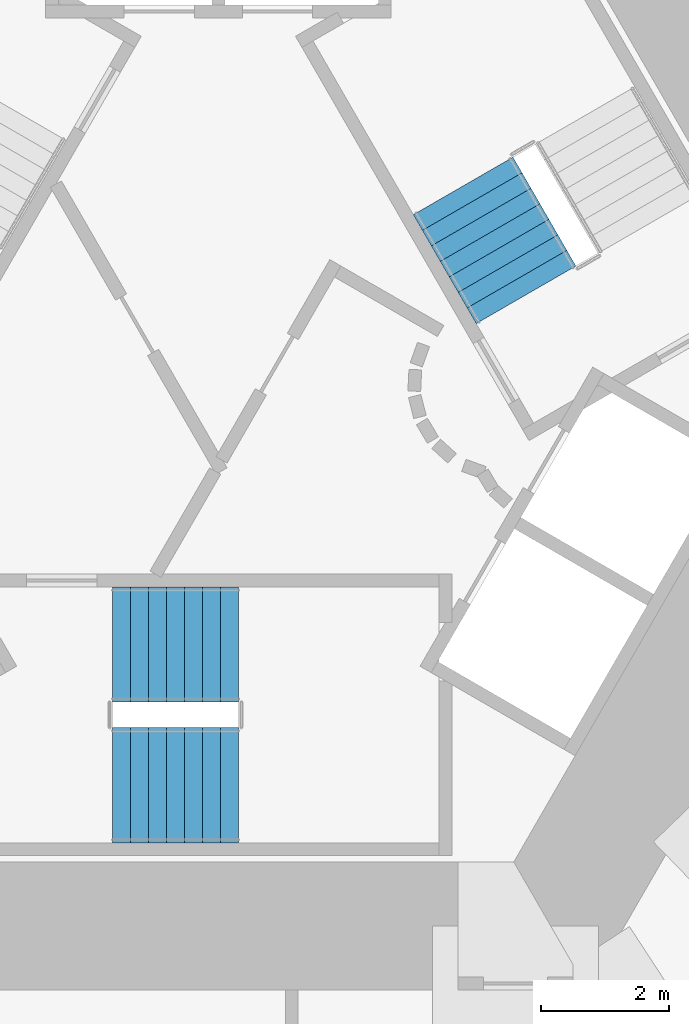
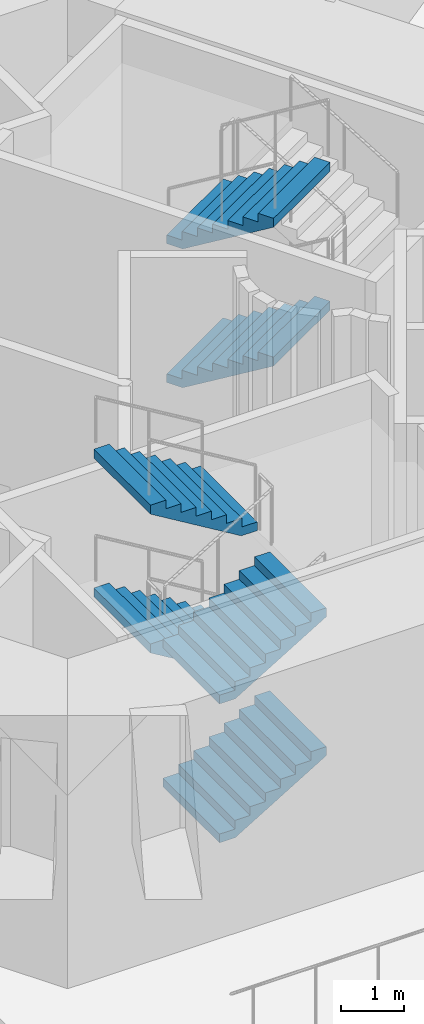
# One storey, part 9 of 16: 6 stair flights, 2 elements without a shape of their own.
"""IFC4 building model written with IfcOpenShell, lengths in metres."""

from ifc_helpers import new_model, si_unit, direction, frame, origin, place, context, subcontext, project, spatial, triangles, material, type_object, element, aggregate, save


model = new_model("IFC4")

# Units and contexts
model_context = context("Model", 3, precision=1e-05, world=origin(), true_north=direction((0.0, 1.0)))
body_context = subcontext(model_context, "Body", "Model", "MODEL_VIEW")
ifc_project = project(units=[si_unit("LENGTHUNIT", "METRE"), si_unit("AREAUNIT", "SQUARE_METRE"), si_unit("VOLUMEUNIT", "CUBIC_METRE"), si_unit("PLANEANGLEUNIT", "RADIAN"), si_unit("MASSUNIT", "GRAM", prefix="KILO")], contexts=[model_context])

# Site, building, storey
site_placement = place(None, origin())
site = spatial("IfcSite", under=ifc_project, at=site_placement, CompositionType="ELEMENT")
building_placement = place(site_placement, origin())
building = spatial("IfcBuilding", under=site, at=building_placement, Name="Entoto Arch Interchange Tower", CompositionType="ELEMENT")
storey_placement = place(building_placement, frame((0.0, 0.0, 281.0)))
storey = spatial("IfcBuildingStorey", under=building, at=storey_placement, Name="L65", CompositionType="ELEMENT", Elevation=281.0)

# Stair, stair flights
ifc_material = material(Name="Concrete C40/50", Category="concrete")
stair_type = type_object("IfcStairType", Name="EXIT STAIR RC 1800", PredefinedType="HALF_TURN_STAIR", material=ifc_material)
stair_1_placement = place(storey_placement, origin())
stair_1 = element("IfcStair", 1, at=stair_1_placement, inside=storey, type_object=stair_type, Name="L65 Exit stair S", PredefinedType="HALF_TURN_STAIR")
stair_flight_type = type_object("IfcStairFlightType", Name="EXIT STAIR FLIGHT RC 1800", PredefinedType="STRAIGHT", material=ifc_material)
stair_flight_1_placement = place(storey_placement, frame((-1.64990234375, -4.300048828125, 0.0), z_axis=(0.0, 0.0, 1.0), x_axis=(1.0, 0.0, 0.0)))
stair_flight_1 = element("IfcStairFlight", 2, at=stair_flight_1_placement, type_object=stair_flight_type, Name="ST-S flight 1", NumberOfRisers=8, NumberOfTreads=7, PredefinedType="STRAIGHT", RiserHeight=0.16875, TreadLength=0.28, context=body_context, shape_type="Tessellation", body=[
    triangles([(-0.003, -0.900024, 0.0), (-0.003, -0.900024, 0.16875), (0.28, -0.900024, 0.16875), (0.28, -0.900024, 0.3375), (0.56, -0.900024, 0.3375), (0.56, -0.900024, 0.50625), (0.84, -0.900024, 0.50625), (0.84, -0.900024, 0.675), (1.12, -0.900024, 0.675), (1.12, -0.900024, 0.84375), (1.4, -0.900024, 0.84375), (1.4, -0.900024, 1.0125), (1.68, -0.900024, 1.0125), (1.68, -0.900024, 1.18125), (1.96, -0.900024, 1.18125), (1.963, -0.900024, 1.18125), (1.963, -0.900024, 1.008036), (0.290406, -0.900024, 0.0), (-0.003, 0.900024, 0.0), (-0.003, 0.900024, 0.16875), (0.28, 0.900024, 0.16875), (0.28, 0.900024, 0.3375), (0.56, 0.900024, 0.3375), (0.56, 0.900024, 0.50625), (0.84, 0.900024, 0.50625), (0.84, 0.900024, 0.675), (1.12, 0.900024, 0.675), (1.12, 0.900024, 0.84375), (1.4, 0.900024, 0.84375), (1.4, 0.900024, 1.0125), (1.68, 0.900024, 1.0125), (1.68, 0.900024, 1.18125), (1.96, 0.900024, 1.18125), (1.963, 0.900024, 1.18125), (1.963, 0.900024, 1.008036), (0.290406, 0.900024, 0.0), (-0.003, -0.450012, 0.0), (-0.003, -0.450012, 0.16875), (-0.003, 0.0, 0.0), (-0.003, 0.0, 0.16875), (-0.003, 0.450012, 0.0), (-0.003, 0.450012, 0.16875), (0.28, -0.450012, 0.16875), (0.28, 0.0, 0.16875), (0.28, 0.450012, 0.16875), (0.28, -0.450012, 0.3375), (0.28, 0.0, 0.3375), (0.28, 0.450012, 0.3375), (0.56, -0.450012, 0.3375), (0.56, 0.0, 0.3375), (0.56, 0.450012, 0.3375), (0.56, -0.450012, 0.50625), (0.56, 0.0, 0.50625), (0.56, 0.450012, 0.50625), (0.84, -0.450012, 0.50625), (0.84, 0.0, 0.50625), (0.84, 0.450012, 0.50625), (0.84, -0.450012, 0.675), (0.84, 0.0, 0.675), (0.84, 0.450012, 0.675), (1.12, -0.450012, 0.675), (1.12, 0.0, 0.675), (1.12, 0.450012, 0.675), (1.12, -0.450012, 0.84375), (1.12, 0.0, 0.84375), (1.12, 0.450012, 0.84375), (1.4, -0.450012, 0.84375), (1.4, 0.0, 0.84375), (1.4, 0.450012, 0.84375), (1.4, -0.450012, 1.0125), (1.4, 0.0, 1.0125), (1.4, 0.450012, 1.0125), (1.68, -0.450012, 1.0125), (1.68, 0.0, 1.0125), (1.68, 0.450012, 1.0125), (1.68, -0.450012, 1.18125), (1.68, 0.0, 1.18125), (1.68, 0.450012, 1.18125), (1.96, -0.450012, 1.18125), (1.96, 0.0, 1.18125), (1.96, 0.450012, 1.18125), (1.963, -0.450012, 1.18125), (1.963, 0.0, 1.18125), (1.963, 0.450012, 1.18125), (1.963, -0.450012, 1.008036), (1.963, 0.0, 1.008036), (1.963, 0.450012, 1.008036), (0.290406, -0.450012, 0.0), (0.290406, 0.0, 0.0), (0.290406, 0.450012, 0.0)], [[1, 18, 17], [17, 16, 15], [17, 15, 14], [17, 14, 13], [17, 13, 12], [17, 12, 11], [11, 10, 9], [17, 11, 9], [9, 8, 7], [17, 9, 7], [7, 6, 5], [17, 7, 5], [5, 4, 3], [17, 5, 3], [1, 17, 3], [3, 2, 1], [19, 35, 36], [35, 33, 34], [35, 32, 33], [35, 31, 32], [35, 30, 31], [35, 29, 30], [29, 27, 28], [35, 27, 29], [27, 25, 26], [35, 25, 27], [25, 23, 24], [35, 23, 25], [23, 21, 22], [35, 21, 23], [19, 21, 35], [21, 19, 20], [1, 2, 38], [1, 38, 37], [37, 38, 40], [37, 40, 39], [39, 40, 42], [39, 42, 41], [41, 42, 20], [41, 20, 19], [2, 3, 43], [2, 43, 38], [38, 43, 44], [38, 44, 40], [40, 44, 45], [40, 45, 42], [42, 45, 21], [42, 21, 20], [3, 4, 46], [3, 46, 43], [43, 46, 47], [43, 47, 44], [44, 47, 48], [44, 48, 45], [45, 48, 22], [45, 22, 21], [4, 5, 49], [4, 49, 46], [46, 49, 50], [46, 50, 47], [47, 50, 51], [47, 51, 48], [48, 51, 23], [48, 23, 22], [5, 6, 52], [5, 52, 49], [49, 52, 53], [49, 53, 50], [50, 53, 54], [50, 54, 51], [51, 54, 24], [51, 24, 23], [6, 7, 55], [6, 55, 52], [52, 55, 56], [52, 56, 53], [53, 56, 57], [53, 57, 54], [54, 57, 25], [54, 25, 24], [7, 8, 58], [7, 58, 55], [55, 58, 59], [55, 59, 56], [56, 59, 60], [56, 60, 57], [57, 60, 26], [57, 26, 25], [8, 9, 61], [8, 61, 58], [58, 61, 62], [58, 62, 59], [59, 62, 63], [59, 63, 60], [60, 63, 27], [60, 27, 26], [9, 10, 64], [9, 64, 61], [61, 64, 65], [61, 65, 62], [62, 65, 66], [62, 66, 63], [63, 66, 28], [63, 28, 27], [10, 11, 67], [10, 67, 64], [64, 67, 68], [64, 68, 65], [65, 68, 69], [65, 69, 66], [66, 69, 29], [66, 29, 28], [11, 12, 70], [11, 70, 67], [67, 70, 71], [67, 71, 68], [68, 71, 72], [68, 72, 69], [69, 72, 30], [69, 30, 29], [12, 13, 73], [12, 73, 70], [70, 73, 74], [70, 74, 71], [71, 74, 75], [71, 75, 72], [72, 75, 31], [72, 31, 30], [13, 14, 76], [13, 76, 73], [73, 76, 77], [73, 77, 74], [74, 77, 78], [74, 78, 75], [75, 78, 32], [75, 32, 31], [14, 15, 79], [14, 79, 76], [76, 79, 80], [76, 80, 77], [77, 80, 81], [77, 81, 78], [78, 81, 33], [78, 33, 32], [15, 16, 82], [15, 82, 79], [79, 82, 83], [79, 83, 80], [80, 83, 84], [80, 84, 81], [81, 84, 34], [81, 34, 33], [16, 17, 85], [16, 85, 82], [82, 85, 86], [82, 86, 83], [83, 86, 87], [83, 87, 84], [84, 87, 35], [84, 35, 34], [17, 18, 88], [17, 88, 85], [85, 88, 89], [85, 89, 86], [86, 89, 90], [86, 90, 87], [87, 90, 36], [87, 36, 35], [18, 1, 37], [18, 37, 88], [88, 37, 39], [88, 39, 89], [89, 39, 41], [89, 41, 90], [90, 41, 19], [90, 19, 36]], closed=True),
])
stair_flight_2_placement = place(storey_placement, frame((0.31005859375, -2.10009765625, 1.35009765625), z_axis=(0.0, 0.0, 1.0), x_axis=(-1.0, 0.0, 0.0)))
stair_flight_2 = element("IfcStairFlight", 3, at=stair_flight_2_placement, type_object=stair_flight_type, Name="ST-S flight 2", NumberOfRisers=8, NumberOfTreads=7, PredefinedType="STRAIGHT", RiserHeight=0.16875, TreadLength=0.28, context=body_context, shape_type="Tessellation", body=[
    triangles([(-0.003, -0.900024, 0.0), (-0.003, -0.900024, 0.16875), (0.28, -0.900024, 0.16875), (0.28, -0.900024, 0.3375), (0.56, -0.900024, 0.3375), (0.56, -0.900024, 0.50625), (0.84, -0.900024, 0.50625), (0.84, -0.900024, 0.675), (1.12, -0.900024, 0.675), (1.12, -0.900024, 0.84375), (1.4, -0.900024, 0.84375), (1.4, -0.900024, 1.0125), (1.68, -0.900024, 1.0125), (1.68, -0.900024, 1.18125), (1.96, -0.900024, 1.18125), (1.963, -0.900024, 1.18125), (1.963, -0.900024, 1.008036), (0.290406, -0.900024, 0.0), (-0.003, 0.900024, 0.0), (-0.003, 0.900024, 0.16875), (0.28, 0.900024, 0.16875), (0.28, 0.900024, 0.3375), (0.56, 0.900024, 0.3375), (0.56, 0.900024, 0.50625), (0.84, 0.900024, 0.50625), (0.84, 0.900024, 0.675), (1.12, 0.900024, 0.675), (1.12, 0.900024, 0.84375), (1.4, 0.900024, 0.84375), (1.4, 0.900024, 1.0125), (1.68, 0.900024, 1.0125), (1.68, 0.900024, 1.18125), (1.96, 0.900024, 1.18125), (1.963, 0.900024, 1.18125), (1.963, 0.900024, 1.008036), (0.290406, 0.900024, 0.0), (-0.003, -0.450012, 0.0), (-0.003, -0.450012, 0.16875), (-0.003, 0.0, 0.0), (-0.003, 0.0, 0.16875), (-0.003, 0.450012, 0.0), (-0.003, 0.450012, 0.16875), (0.28, -0.450012, 0.16875), (0.28, 0.0, 0.16875), (0.28, 0.450012, 0.16875), (0.28, -0.450012, 0.3375), (0.28, 0.0, 0.3375), (0.28, 0.450012, 0.3375), (0.56, -0.450012, 0.3375), (0.56, 0.0, 0.3375), (0.56, 0.450012, 0.3375), (0.56, -0.450012, 0.50625), (0.56, 0.0, 0.50625), (0.56, 0.450012, 0.50625), (0.84, -0.450012, 0.50625), (0.84, 0.0, 0.50625), (0.84, 0.450012, 0.50625), (0.84, -0.450012, 0.675), (0.84, 0.0, 0.675), (0.84, 0.450012, 0.675), (1.12, -0.450012, 0.675), (1.12, 0.0, 0.675), (1.12, 0.450012, 0.675), (1.12, -0.450012, 0.84375), (1.12, 0.0, 0.84375), (1.12, 0.450012, 0.84375), (1.4, -0.450012, 0.84375), (1.4, 0.0, 0.84375), (1.4, 0.450012, 0.84375), (1.4, -0.450012, 1.0125), (1.4, 0.0, 1.0125), (1.4, 0.450012, 1.0125), (1.68, -0.450012, 1.0125), (1.68, 0.0, 1.0125), (1.68, 0.450012, 1.0125), (1.68, -0.450012, 1.18125), (1.68, 0.0, 1.18125), (1.68, 0.450012, 1.18125), (1.96, -0.450012, 1.18125), (1.96, 0.0, 1.18125), (1.96, 0.450012, 1.18125), (1.963, -0.450012, 1.18125), (1.963, 0.0, 1.18125), (1.963, 0.450012, 1.18125), (1.963, -0.450012, 1.008036), (1.963, 0.0, 1.008036), (1.963, 0.450012, 1.008036), (0.290406, -0.450012, 0.0), (0.290406, 0.0, 0.0), (0.290406, 0.450012, 0.0)], [[1, 18, 17], [17, 16, 15], [17, 15, 14], [17, 14, 13], [17, 13, 12], [17, 12, 11], [11, 10, 9], [17, 11, 9], [9, 8, 7], [17, 9, 7], [7, 6, 5], [17, 7, 5], [5, 4, 3], [17, 5, 3], [1, 17, 3], [3, 2, 1], [19, 35, 36], [35, 33, 34], [35, 32, 33], [35, 31, 32], [35, 30, 31], [35, 29, 30], [29, 27, 28], [35, 27, 29], [27, 25, 26], [35, 25, 27], [25, 23, 24], [35, 23, 25], [23, 21, 22], [35, 21, 23], [19, 21, 35], [21, 19, 20], [1, 2, 38], [1, 38, 37], [37, 38, 40], [37, 40, 39], [39, 40, 42], [39, 42, 41], [41, 42, 20], [41, 20, 19], [2, 3, 43], [2, 43, 38], [38, 43, 44], [38, 44, 40], [40, 44, 45], [40, 45, 42], [42, 45, 21], [42, 21, 20], [3, 4, 46], [3, 46, 43], [43, 46, 47], [43, 47, 44], [44, 47, 48], [44, 48, 45], [45, 48, 22], [45, 22, 21], [4, 5, 49], [4, 49, 46], [46, 49, 50], [46, 50, 47], [47, 50, 51], [47, 51, 48], [48, 51, 23], [48, 23, 22], [5, 6, 52], [5, 52, 49], [49, 52, 53], [49, 53, 50], [50, 53, 54], [50, 54, 51], [51, 54, 24], [51, 24, 23], [6, 7, 55], [6, 55, 52], [52, 55, 56], [52, 56, 53], [53, 56, 57], [53, 57, 54], [54, 57, 25], [54, 25, 24], [7, 8, 58], [7, 58, 55], [55, 58, 59], [55, 59, 56], [56, 59, 60], [56, 60, 57], [57, 60, 26], [57, 26, 25], [8, 9, 61], [8, 61, 58], [58, 61, 62], [58, 62, 59], [59, 62, 63], [59, 63, 60], [60, 63, 27], [60, 27, 26], [9, 10, 64], [9, 64, 61], [61, 64, 65], [61, 65, 62], [62, 65, 66], [62, 66, 63], [63, 66, 28], [63, 28, 27], [10, 11, 67], [10, 67, 64], [64, 67, 68], [64, 68, 65], [65, 68, 69], [65, 69, 66], [66, 69, 29], [66, 29, 28], [11, 12, 70], [11, 70, 67], [67, 70, 71], [67, 71, 68], [68, 71, 72], [68, 72, 69], [69, 72, 30], [69, 30, 29], [12, 13, 73], [12, 73, 70], [70, 73, 74], [70, 74, 71], [71, 74, 75], [71, 75, 72], [72, 75, 31], [72, 31, 30], [13, 14, 76], [13, 76, 73], [73, 76, 77], [73, 77, 74], [74, 77, 78], [74, 78, 75], [75, 78, 32], [75, 32, 31], [14, 15, 79], [14, 79, 76], [76, 79, 80], [76, 80, 77], [77, 80, 81], [77, 81, 78], [78, 81, 33], [78, 33, 32], [15, 16, 82], [15, 82, 79], [79, 82, 83], [79, 83, 80], [80, 83, 84], [80, 84, 81], [81, 84, 34], [81, 34, 33], [16, 17, 85], [16, 85, 82], [82, 85, 86], [82, 86, 83], [83, 86, 87], [83, 87, 84], [84, 87, 35], [84, 35, 34], [17, 18, 88], [17, 88, 85], [85, 88, 89], [85, 89, 86], [86, 89, 90], [86, 90, 87], [87, 90, 36], [87, 36, 35], [18, 1, 37], [18, 37, 88], [88, 37, 39], [88, 39, 89], [89, 39, 41], [89, 41, 90], [90, 41, 19], [90, 19, 36]], closed=True),
])
stair_flight_3_placement = place(storey_placement, frame((-1.64990234375, -4.300048828125, 2.699951171875), z_axis=(0.0, 0.0, 1.0), x_axis=(1.0, 0.0, 0.0)))
stair_flight_3 = element("IfcStairFlight", 4, at=stair_flight_3_placement, type_object=stair_flight_type, Name="ST-S flight 3", NumberOfRisers=8, NumberOfTreads=7, PredefinedType="STRAIGHT", RiserHeight=0.16875, TreadLength=0.28, context=body_context, shape_type="Tessellation", body=[
    triangles([(-0.003, -0.900024, 0.0), (-0.003, -0.900024, 0.16875), (0.28, -0.900024, 0.16875), (0.28, -0.900024, 0.3375), (0.56, -0.900024, 0.3375), (0.56, -0.900024, 0.50625), (0.84, -0.900024, 0.50625), (0.84, -0.900024, 0.675), (1.12, -0.900024, 0.675), (1.12, -0.900024, 0.84375), (1.4, -0.900024, 0.84375), (1.4, -0.900024, 1.0125), (1.68, -0.900024, 1.0125), (1.68, -0.900024, 1.18125), (1.96, -0.900024, 1.18125), (1.963, -0.900024, 1.18125), (1.963, -0.900024, 1.008036), (0.290406, -0.900024, 0.0), (-0.003, 0.900024, 0.0), (-0.003, 0.900024, 0.16875), (0.28, 0.900024, 0.16875), (0.28, 0.900024, 0.3375), (0.56, 0.900024, 0.3375), (0.56, 0.900024, 0.50625), (0.84, 0.900024, 0.50625), (0.84, 0.900024, 0.675), (1.12, 0.900024, 0.675), (1.12, 0.900024, 0.84375), (1.4, 0.900024, 0.84375), (1.4, 0.900024, 1.0125), (1.68, 0.900024, 1.0125), (1.68, 0.900024, 1.18125), (1.96, 0.900024, 1.18125), (1.963, 0.900024, 1.18125), (1.963, 0.900024, 1.008036), (0.290406, 0.900024, 0.0), (-0.003, -0.450012, 0.0), (-0.003, -0.450012, 0.16875), (-0.003, 0.0, 0.0), (-0.003, 0.0, 0.16875), (-0.003, 0.450012, 0.0), (-0.003, 0.450012, 0.16875), (0.28, -0.450012, 0.16875), (0.28, 0.0, 0.16875), (0.28, 0.450012, 0.16875), (0.28, -0.450012, 0.3375), (0.28, 0.0, 0.3375), (0.28, 0.450012, 0.3375), (0.56, -0.450012, 0.3375), (0.56, 0.0, 0.3375), (0.56, 0.450012, 0.3375), (0.56, -0.450012, 0.50625), (0.56, 0.0, 0.50625), (0.56, 0.450012, 0.50625), (0.84, -0.450012, 0.50625), (0.84, 0.0, 0.50625), (0.84, 0.450012, 0.50625), (0.84, -0.450012, 0.675), (0.84, 0.0, 0.675), (0.84, 0.450012, 0.675), (1.12, -0.450012, 0.675), (1.12, 0.0, 0.675), (1.12, 0.450012, 0.675), (1.12, -0.450012, 0.84375), (1.12, 0.0, 0.84375), (1.12, 0.450012, 0.84375), (1.4, -0.450012, 0.84375), (1.4, 0.0, 0.84375), (1.4, 0.450012, 0.84375), (1.4, -0.450012, 1.0125), (1.4, 0.0, 1.0125), (1.4, 0.450012, 1.0125), (1.68, -0.450012, 1.0125), (1.68, 0.0, 1.0125), (1.68, 0.450012, 1.0125), (1.68, -0.450012, 1.18125), (1.68, 0.0, 1.18125), (1.68, 0.450012, 1.18125), (1.96, -0.450012, 1.18125), (1.96, 0.0, 1.18125), (1.96, 0.450012, 1.18125), (1.963, -0.450012, 1.18125), (1.963, 0.0, 1.18125), (1.963, 0.450012, 1.18125), (1.963, -0.450012, 1.008036), (1.963, 0.0, 1.008036), (1.963, 0.450012, 1.008036), (0.290406, -0.450012, 0.0), (0.290406, 0.0, 0.0), (0.290406, 0.450012, 0.0)], [[1, 18, 17], [17, 16, 15], [17, 15, 14], [17, 14, 13], [17, 13, 12], [17, 12, 11], [11, 10, 9], [17, 11, 9], [9, 8, 7], [17, 9, 7], [7, 6, 5], [17, 7, 5], [5, 4, 3], [17, 5, 3], [1, 17, 3], [3, 2, 1], [19, 35, 36], [35, 33, 34], [35, 32, 33], [35, 31, 32], [35, 30, 31], [35, 29, 30], [29, 27, 28], [35, 27, 29], [27, 25, 26], [35, 25, 27], [25, 23, 24], [35, 23, 25], [23, 21, 22], [35, 21, 23], [19, 21, 35], [21, 19, 20], [1, 2, 38], [1, 38, 37], [37, 38, 40], [37, 40, 39], [39, 40, 42], [39, 42, 41], [41, 42, 20], [41, 20, 19], [2, 3, 43], [2, 43, 38], [38, 43, 44], [38, 44, 40], [40, 44, 45], [40, 45, 42], [42, 45, 21], [42, 21, 20], [3, 4, 46], [3, 46, 43], [43, 46, 47], [43, 47, 44], [44, 47, 48], [44, 48, 45], [45, 48, 22], [45, 22, 21], [4, 5, 49], [4, 49, 46], [46, 49, 50], [46, 50, 47], [47, 50, 51], [47, 51, 48], [48, 51, 23], [48, 23, 22], [5, 6, 52], [5, 52, 49], [49, 52, 53], [49, 53, 50], [50, 53, 54], [50, 54, 51], [51, 54, 24], [51, 24, 23], [6, 7, 55], [6, 55, 52], [52, 55, 56], [52, 56, 53], [53, 56, 57], [53, 57, 54], [54, 57, 25], [54, 25, 24], [7, 8, 58], [7, 58, 55], [55, 58, 59], [55, 59, 56], [56, 59, 60], [56, 60, 57], [57, 60, 26], [57, 26, 25], [8, 9, 61], [8, 61, 58], [58, 61, 62], [58, 62, 59], [59, 62, 63], [59, 63, 60], [60, 63, 27], [60, 27, 26], [9, 10, 64], [9, 64, 61], [61, 64, 65], [61, 65, 62], [62, 65, 66], [62, 66, 63], [63, 66, 28], [63, 28, 27], [10, 11, 67], [10, 67, 64], [64, 67, 68], [64, 68, 65], [65, 68, 69], [65, 69, 66], [66, 69, 29], [66, 29, 28], [11, 12, 70], [11, 70, 67], [67, 70, 71], [67, 71, 68], [68, 71, 72], [68, 72, 69], [69, 72, 30], [69, 30, 29], [12, 13, 73], [12, 73, 70], [70, 73, 74], [70, 74, 71], [71, 74, 75], [71, 75, 72], [72, 75, 31], [72, 31, 30], [13, 14, 76], [13, 76, 73], [73, 76, 77], [73, 77, 74], [74, 77, 78], [74, 78, 75], [75, 78, 32], [75, 32, 31], [14, 15, 79], [14, 79, 76], [76, 79, 80], [76, 80, 77], [77, 80, 81], [77, 81, 78], [78, 81, 33], [78, 33, 32], [15, 16, 82], [15, 82, 79], [79, 82, 83], [79, 83, 80], [80, 83, 84], [80, 84, 81], [81, 84, 34], [81, 34, 33], [16, 17, 85], [16, 85, 82], [82, 85, 86], [82, 86, 83], [83, 86, 87], [83, 87, 84], [84, 87, 35], [84, 35, 34], [17, 18, 88], [17, 88, 85], [85, 88, 89], [85, 89, 86], [86, 89, 90], [86, 90, 87], [87, 90, 36], [87, 36, 35], [18, 1, 37], [18, 37, 88], [88, 37, 39], [88, 39, 89], [89, 39, 41], [89, 41, 90], [90, 41, 19], [90, 19, 36]], closed=True),
])
stair_flight_4_placement = place(storey_placement, frame((0.31005859375, -2.10009765625, 4.050048828125), z_axis=(0.0, 0.0, 1.0), x_axis=(-1.0, 0.0, 0.0)))
stair_flight_4 = element("IfcStairFlight", 5, at=stair_flight_4_placement, type_object=stair_flight_type, Name="ST-S flight 4", NumberOfRisers=8, NumberOfTreads=7, PredefinedType="STRAIGHT", RiserHeight=0.16875, TreadLength=0.28, context=body_context, shape_type="Tessellation", body=[
    triangles([(-0.003, -0.900024, 0.0), (-0.003, -0.900024, 0.16875), (0.28, -0.900024, 0.16875), (0.28, -0.900024, 0.3375), (0.56, -0.900024, 0.3375), (0.56, -0.900024, 0.50625), (0.84, -0.900024, 0.50625), (0.84, -0.900024, 0.675), (1.12, -0.900024, 0.675), (1.12, -0.900024, 0.84375), (1.4, -0.900024, 0.84375), (1.4, -0.900024, 1.0125), (1.68, -0.900024, 1.0125), (1.68, -0.900024, 1.18125), (1.96, -0.900024, 1.18125), (1.963, -0.900024, 1.18125), (1.963, -0.900024, 1.008036), (0.290406, -0.900024, 0.0), (-0.003, 0.900024, 0.0), (-0.003, 0.900024, 0.16875), (0.28, 0.900024, 0.16875), (0.28, 0.900024, 0.3375), (0.56, 0.900024, 0.3375), (0.56, 0.900024, 0.50625), (0.84, 0.900024, 0.50625), (0.84, 0.900024, 0.675), (1.12, 0.900024, 0.675), (1.12, 0.900024, 0.84375), (1.4, 0.900024, 0.84375), (1.4, 0.900024, 1.0125), (1.68, 0.900024, 1.0125), (1.68, 0.900024, 1.18125), (1.96, 0.900024, 1.18125), (1.963, 0.900024, 1.18125), (1.963, 0.900024, 1.008036), (0.290406, 0.900024, 0.0), (-0.003, -0.450012, 0.0), (-0.003, -0.450012, 0.16875), (-0.003, 0.0, 0.0), (-0.003, 0.0, 0.16875), (-0.003, 0.450012, 0.0), (-0.003, 0.450012, 0.16875), (0.28, -0.450012, 0.16875), (0.28, 0.0, 0.16875), (0.28, 0.450012, 0.16875), (0.28, -0.450012, 0.3375), (0.28, 0.0, 0.3375), (0.28, 0.450012, 0.3375), (0.56, -0.450012, 0.3375), (0.56, 0.0, 0.3375), (0.56, 0.450012, 0.3375), (0.56, -0.450012, 0.50625), (0.56, 0.0, 0.50625), (0.56, 0.450012, 0.50625), (0.84, -0.450012, 0.50625), (0.84, 0.0, 0.50625), (0.84, 0.450012, 0.50625), (0.84, -0.450012, 0.675), (0.84, 0.0, 0.675), (0.84, 0.450012, 0.675), (1.12, -0.450012, 0.675), (1.12, 0.0, 0.675), (1.12, 0.450012, 0.675), (1.12, -0.450012, 0.84375), (1.12, 0.0, 0.84375), (1.12, 0.450012, 0.84375), (1.4, -0.450012, 0.84375), (1.4, 0.0, 0.84375), (1.4, 0.450012, 0.84375), (1.4, -0.450012, 1.0125), (1.4, 0.0, 1.0125), (1.4, 0.450012, 1.0125), (1.68, -0.450012, 1.0125), (1.68, 0.0, 1.0125), (1.68, 0.450012, 1.0125), (1.68, -0.450012, 1.18125), (1.68, 0.0, 1.18125), (1.68, 0.450012, 1.18125), (1.96, -0.450012, 1.18125), (1.96, 0.0, 1.18125), (1.96, 0.450012, 1.18125), (1.963, -0.450012, 1.18125), (1.963, 0.0, 1.18125), (1.963, 0.450012, 1.18125), (1.963, -0.450012, 1.008036), (1.963, 0.0, 1.008036), (1.963, 0.450012, 1.008036), (0.290406, -0.450012, 0.0), (0.290406, 0.0, 0.0), (0.290406, 0.450012, 0.0)], [[1, 18, 17], [17, 16, 15], [17, 15, 14], [17, 14, 13], [17, 13, 12], [17, 12, 11], [11, 10, 9], [17, 11, 9], [9, 8, 7], [17, 9, 7], [7, 6, 5], [17, 7, 5], [5, 4, 3], [17, 5, 3], [1, 17, 3], [3, 2, 1], [19, 35, 36], [35, 33, 34], [35, 32, 33], [35, 31, 32], [35, 30, 31], [35, 29, 30], [29, 27, 28], [35, 27, 29], [27, 25, 26], [35, 25, 27], [25, 23, 24], [35, 23, 25], [23, 21, 22], [35, 21, 23], [19, 21, 35], [21, 19, 20], [1, 2, 38], [1, 38, 37], [37, 38, 40], [37, 40, 39], [39, 40, 42], [39, 42, 41], [41, 42, 20], [41, 20, 19], [2, 3, 43], [2, 43, 38], [38, 43, 44], [38, 44, 40], [40, 44, 45], [40, 45, 42], [42, 45, 21], [42, 21, 20], [3, 4, 46], [3, 46, 43], [43, 46, 47], [43, 47, 44], [44, 47, 48], [44, 48, 45], [45, 48, 22], [45, 22, 21], [4, 5, 49], [4, 49, 46], [46, 49, 50], [46, 50, 47], [47, 50, 51], [47, 51, 48], [48, 51, 23], [48, 23, 22], [5, 6, 52], [5, 52, 49], [49, 52, 53], [49, 53, 50], [50, 53, 54], [50, 54, 51], [51, 54, 24], [51, 24, 23], [6, 7, 55], [6, 55, 52], [52, 55, 56], [52, 56, 53], [53, 56, 57], [53, 57, 54], [54, 57, 25], [54, 25, 24], [7, 8, 58], [7, 58, 55], [55, 58, 59], [55, 59, 56], [56, 59, 60], [56, 60, 57], [57, 60, 26], [57, 26, 25], [8, 9, 61], [8, 61, 58], [58, 61, 62], [58, 62, 59], [59, 62, 63], [59, 63, 60], [60, 63, 27], [60, 27, 26], [9, 10, 64], [9, 64, 61], [61, 64, 65], [61, 65, 62], [62, 65, 66], [62, 66, 63], [63, 66, 28], [63, 28, 27], [10, 11, 67], [10, 67, 64], [64, 67, 68], [64, 68, 65], [65, 68, 69], [65, 69, 66], [66, 69, 29], [66, 29, 28], [11, 12, 70], [11, 70, 67], [67, 70, 71], [67, 71, 68], [68, 71, 72], [68, 72, 69], [69, 72, 30], [69, 30, 29], [12, 13, 73], [12, 73, 70], [70, 73, 74], [70, 74, 71], [71, 74, 75], [71, 75, 72], [72, 75, 31], [72, 31, 30], [13, 14, 76], [13, 76, 73], [73, 76, 77], [73, 77, 74], [74, 77, 78], [74, 78, 75], [75, 78, 32], [75, 32, 31], [14, 15, 79], [14, 79, 76], [76, 79, 80], [76, 80, 77], [77, 80, 81], [77, 81, 78], [78, 81, 33], [78, 33, 32], [15, 16, 82], [15, 82, 79], [79, 82, 83], [79, 83, 80], [80, 83, 84], [80, 84, 81], [81, 84, 34], [81, 34, 33], [16, 17, 85], [16, 85, 82], [82, 85, 86], [82, 86, 83], [83, 86, 87], [83, 87, 84], [84, 87, 35], [84, 35, 34], [17, 18, 88], [17, 88, 85], [85, 88, 89], [85, 89, 86], [86, 89, 90], [86, 90, 87], [87, 90, 36], [87, 36, 35], [18, 1, 37], [18, 37, 88], [88, 37, 39], [88, 39, 89], [89, 39, 41], [89, 41, 90], [90, 41, 19], [90, 19, 36]], closed=True),
])
aggregate(stair_1, [stair_flight_1, stair_flight_2, stair_flight_3, stair_flight_4])

stair_2_placement = place(storey_placement, origin())
stair_2 = element("IfcStair", 6, at=stair_2_placement, inside=storey, type_object=stair_type, Name="L65 Exit stair NE", PredefinedType="HALF_TURN_STAIR")
stair_flight_5_placement = place(storey_placement, frame((3.82861328125, 5.068359375, 1.35009765625), z_axis=(0.0, 0.0, 1.0), x_axis=(0.5, -0.866025403784, 0.0)))
stair_flight_5 = element("IfcStairFlight", 7, at=stair_flight_5_placement, type_object=stair_flight_type, Name="ST-NE flight 2", NumberOfRisers=8, NumberOfTreads=7, PredefinedType="STRAIGHT", RiserHeight=0.16875, TreadLength=0.28, context=body_context, shape_type="Tessellation", body=[
    triangles([(-0.003, -0.900024, 0.0), (-0.003, -0.900024, 0.16875), (0.28, -0.900024, 0.16875), (0.28, -0.900024, 0.3375), (0.56, -0.900024, 0.3375), (0.56, -0.900024, 0.50625), (0.84, -0.900024, 0.50625), (0.84, -0.900024, 0.675), (1.12, -0.900024, 0.675), (1.12, -0.900024, 0.84375), (1.4, -0.900024, 0.84375), (1.4, -0.900024, 1.0125), (1.68, -0.900024, 1.0125), (1.68, -0.900024, 1.18125), (1.96, -0.900024, 1.18125), (1.963, -0.900024, 1.18125), (1.963, -0.900024, 1.008036), (0.290406, -0.900024, 0.0), (-0.003, 0.900024, 0.0), (-0.003, 0.900024, 0.16875), (0.28, 0.900024, 0.16875), (0.28, 0.900024, 0.3375), (0.56, 0.900024, 0.3375), (0.56, 0.900024, 0.50625), (0.84, 0.900024, 0.50625), (0.84, 0.900024, 0.675), (1.12, 0.900024, 0.675), (1.12, 0.900024, 0.84375), (1.4, 0.900024, 0.84375), (1.4, 0.900024, 1.0125), (1.68, 0.900024, 1.0125), (1.68, 0.900024, 1.18125), (1.96, 0.900024, 1.18125), (1.963, 0.900024, 1.18125), (1.963, 0.900024, 1.008036), (0.290406, 0.900024, 0.0), (-0.003, -0.450012, 0.0), (-0.003, -0.450012, 0.16875), (-0.003, 0.0, 0.0), (-0.003, 0.0, 0.16875), (-0.003, 0.450012, 0.0), (-0.003, 0.450012, 0.16875), (0.28, -0.450012, 0.16875), (0.28, 0.0, 0.16875), (0.28, 0.450012, 0.16875), (0.28, -0.450012, 0.3375), (0.28, 0.0, 0.3375), (0.28, 0.450012, 0.3375), (0.56, -0.450012, 0.3375), (0.56, 0.0, 0.3375), (0.56, 0.450012, 0.3375), (0.56, -0.450012, 0.50625), (0.56, 0.0, 0.50625), (0.56, 0.450012, 0.50625), (0.84, -0.450012, 0.50625), (0.84, 0.0, 0.50625), (0.84, 0.450012, 0.50625), (0.84, -0.450012, 0.675), (0.84, 0.0, 0.675), (0.84, 0.450012, 0.675), (1.12, -0.450012, 0.675), (1.12, 0.0, 0.675), (1.12, 0.450012, 0.675), (1.12, -0.450012, 0.84375), (1.12, 0.0, 0.84375), (1.12, 0.450012, 0.84375), (1.4, -0.450012, 0.84375), (1.4, 0.0, 0.84375), (1.4, 0.450012, 0.84375), (1.4, -0.450012, 1.0125), (1.4, 0.0, 1.0125), (1.4, 0.450012, 1.0125), (1.68, -0.450012, 1.0125), (1.68, 0.0, 1.0125), (1.68, 0.450012, 1.0125), (1.68, -0.450012, 1.18125), (1.68, 0.0, 1.18125), (1.68, 0.450012, 1.18125), (1.96, -0.450012, 1.18125), (1.96, 0.0, 1.18125), (1.96, 0.450012, 1.18125), (1.963, -0.450012, 1.18125), (1.963, 0.0, 1.18125), (1.963, 0.450012, 1.18125), (1.963, -0.450012, 1.008036), (1.963, 0.0, 1.008036), (1.963, 0.450012, 1.008036), (0.290406, -0.450012, 0.0), (0.290406, 0.0, 0.0), (0.290406, 0.450012, 0.0)], [[1, 18, 17], [17, 16, 15], [17, 15, 14], [17, 14, 13], [17, 13, 12], [17, 12, 11], [11, 10, 9], [17, 11, 9], [9, 8, 7], [17, 9, 7], [7, 6, 5], [17, 7, 5], [5, 4, 3], [17, 5, 3], [1, 17, 3], [3, 2, 1], [19, 35, 36], [35, 33, 34], [35, 32, 33], [35, 31, 32], [35, 30, 31], [35, 29, 30], [29, 27, 28], [35, 27, 29], [27, 25, 26], [35, 25, 27], [25, 23, 24], [35, 23, 25], [23, 21, 22], [35, 21, 23], [19, 21, 35], [21, 19, 20], [1, 2, 38], [1, 38, 37], [37, 38, 40], [37, 40, 39], [39, 40, 42], [39, 42, 41], [41, 42, 20], [41, 20, 19], [2, 3, 43], [2, 43, 38], [38, 43, 44], [38, 44, 40], [40, 44, 45], [40, 45, 42], [42, 45, 21], [42, 21, 20], [3, 4, 46], [3, 46, 43], [43, 46, 47], [43, 47, 44], [44, 47, 48], [44, 48, 45], [45, 48, 22], [45, 22, 21], [4, 5, 49], [4, 49, 46], [46, 49, 50], [46, 50, 47], [47, 50, 51], [47, 51, 48], [48, 51, 23], [48, 23, 22], [5, 6, 52], [5, 52, 49], [49, 52, 53], [49, 53, 50], [50, 53, 54], [50, 54, 51], [51, 54, 24], [51, 24, 23], [6, 7, 55], [6, 55, 52], [52, 55, 56], [52, 56, 53], [53, 56, 57], [53, 57, 54], [54, 57, 25], [54, 25, 24], [7, 8, 58], [7, 58, 55], [55, 58, 59], [55, 59, 56], [56, 59, 60], [56, 60, 57], [57, 60, 26], [57, 26, 25], [8, 9, 61], [8, 61, 58], [58, 61, 62], [58, 62, 59], [59, 62, 63], [59, 63, 60], [60, 63, 27], [60, 27, 26], [9, 10, 64], [9, 64, 61], [61, 64, 65], [61, 65, 62], [62, 65, 66], [62, 66, 63], [63, 66, 28], [63, 28, 27], [10, 11, 67], [10, 67, 64], [64, 67, 68], [64, 68, 65], [65, 68, 69], [65, 69, 66], [66, 69, 29], [66, 29, 28], [11, 12, 70], [11, 70, 67], [67, 70, 71], [67, 71, 68], [68, 71, 72], [68, 72, 69], [69, 72, 30], [69, 30, 29], [12, 13, 73], [12, 73, 70], [70, 73, 74], [70, 74, 71], [71, 74, 75], [71, 75, 72], [72, 75, 31], [72, 31, 30], [13, 14, 76], [13, 76, 73], [73, 76, 77], [73, 77, 74], [74, 77, 78], [74, 78, 75], [75, 78, 32], [75, 32, 31], [14, 15, 79], [14, 79, 76], [76, 79, 80], [76, 80, 77], [77, 80, 81], [77, 81, 78], [78, 81, 33], [78, 33, 32], [15, 16, 82], [15, 82, 79], [79, 82, 83], [79, 83, 80], [80, 83, 84], [80, 84, 81], [81, 84, 34], [81, 34, 33], [16, 17, 85], [16, 85, 82], [82, 85, 86], [82, 86, 83], [83, 86, 87], [83, 87, 84], [84, 87, 35], [84, 35, 34], [17, 18, 88], [17, 88, 85], [85, 88, 89], [85, 89, 86], [86, 89, 90], [86, 90, 87], [87, 90, 36], [87, 36, 35], [18, 1, 37], [18, 37, 88], [88, 37, 39], [88, 39, 89], [89, 39, 41], [89, 41, 90], [90, 41, 19], [90, 19, 36]], closed=True),
])
stair_flight_6_placement = place(storey_placement, frame((3.82861328125, 5.068359375, 4.050048828125), z_axis=(0.0, 0.0, 1.0), x_axis=(0.5, -0.866025403784, 0.0)))
stair_flight_6 = element("IfcStairFlight", 8, at=stair_flight_6_placement, type_object=stair_flight_type, Name="ST-NE flight 4", NumberOfRisers=8, NumberOfTreads=7, PredefinedType="STRAIGHT", RiserHeight=0.16875, TreadLength=0.28, context=body_context, shape_type="Tessellation", body=[
    triangles([(-0.003, -0.900024, 0.0), (-0.003, -0.900024, 0.16875), (0.28, -0.900024, 0.16875), (0.28, -0.900024, 0.3375), (0.56, -0.900024, 0.3375), (0.56, -0.900024, 0.50625), (0.84, -0.900024, 0.50625), (0.84, -0.900024, 0.675), (1.12, -0.900024, 0.675), (1.12, -0.900024, 0.84375), (1.4, -0.900024, 0.84375), (1.4, -0.900024, 1.0125), (1.68, -0.900024, 1.0125), (1.68, -0.900024, 1.18125), (1.96, -0.900024, 1.18125), (1.963, -0.900024, 1.18125), (1.963, -0.900024, 1.008036), (0.290406, -0.900024, 0.0), (-0.003, 0.900024, 0.0), (-0.003, 0.900024, 0.16875), (0.28, 0.900024, 0.16875), (0.28, 0.900024, 0.3375), (0.56, 0.900024, 0.3375), (0.56, 0.900024, 0.50625), (0.84, 0.900024, 0.50625), (0.84, 0.900024, 0.675), (1.12, 0.900024, 0.675), (1.12, 0.900024, 0.84375), (1.4, 0.900024, 0.84375), (1.4, 0.900024, 1.0125), (1.68, 0.900024, 1.0125), (1.68, 0.900024, 1.18125), (1.96, 0.900024, 1.18125), (1.963, 0.900024, 1.18125), (1.963, 0.900024, 1.008036), (0.290406, 0.900024, 0.0), (-0.003, -0.450012, 0.0), (-0.003, -0.450012, 0.16875), (-0.003, 0.0, 0.0), (-0.003, 0.0, 0.16875), (-0.003, 0.450012, 0.0), (-0.003, 0.450012, 0.16875), (0.28, -0.450012, 0.16875), (0.28, 0.0, 0.16875), (0.28, 0.450012, 0.16875), (0.28, -0.450012, 0.3375), (0.28, 0.0, 0.3375), (0.28, 0.450012, 0.3375), (0.56, -0.450012, 0.3375), (0.56, 0.0, 0.3375), (0.56, 0.450012, 0.3375), (0.56, -0.450012, 0.50625), (0.56, 0.0, 0.50625), (0.56, 0.450012, 0.50625), (0.84, -0.450012, 0.50625), (0.84, 0.0, 0.50625), (0.84, 0.450012, 0.50625), (0.84, -0.450012, 0.675), (0.84, 0.0, 0.675), (0.84, 0.450012, 0.675), (1.12, -0.450012, 0.675), (1.12, 0.0, 0.675), (1.12, 0.450012, 0.675), (1.12, -0.450012, 0.84375), (1.12, 0.0, 0.84375), (1.12, 0.450012, 0.84375), (1.4, -0.450012, 0.84375), (1.4, 0.0, 0.84375), (1.4, 0.450012, 0.84375), (1.4, -0.450012, 1.0125), (1.4, 0.0, 1.0125), (1.4, 0.450012, 1.0125), (1.68, -0.450012, 1.0125), (1.68, 0.0, 1.0125), (1.68, 0.450012, 1.0125), (1.68, -0.450012, 1.18125), (1.68, 0.0, 1.18125), (1.68, 0.450012, 1.18125), (1.96, -0.450012, 1.18125), (1.96, 0.0, 1.18125), (1.96, 0.450012, 1.18125), (1.963, -0.450012, 1.18125), (1.963, 0.0, 1.18125), (1.963, 0.450012, 1.18125), (1.963, -0.450012, 1.008036), (1.963, 0.0, 1.008036), (1.963, 0.450012, 1.008036), (0.290406, -0.450012, 0.0), (0.290406, 0.0, 0.0), (0.290406, 0.450012, 0.0)], [[1, 18, 17], [17, 16, 15], [17, 15, 14], [17, 14, 13], [17, 13, 12], [17, 12, 11], [11, 10, 9], [17, 11, 9], [9, 8, 7], [17, 9, 7], [7, 6, 5], [17, 7, 5], [5, 4, 3], [17, 5, 3], [1, 17, 3], [3, 2, 1], [19, 35, 36], [35, 33, 34], [35, 32, 33], [35, 31, 32], [35, 30, 31], [35, 29, 30], [29, 27, 28], [35, 27, 29], [27, 25, 26], [35, 25, 27], [25, 23, 24], [35, 23, 25], [23, 21, 22], [35, 21, 23], [19, 21, 35], [21, 19, 20], [1, 2, 38], [1, 38, 37], [37, 38, 40], [37, 40, 39], [39, 40, 42], [39, 42, 41], [41, 42, 20], [41, 20, 19], [2, 3, 43], [2, 43, 38], [38, 43, 44], [38, 44, 40], [40, 44, 45], [40, 45, 42], [42, 45, 21], [42, 21, 20], [3, 4, 46], [3, 46, 43], [43, 46, 47], [43, 47, 44], [44, 47, 48], [44, 48, 45], [45, 48, 22], [45, 22, 21], [4, 5, 49], [4, 49, 46], [46, 49, 50], [46, 50, 47], [47, 50, 51], [47, 51, 48], [48, 51, 23], [48, 23, 22], [5, 6, 52], [5, 52, 49], [49, 52, 53], [49, 53, 50], [50, 53, 54], [50, 54, 51], [51, 54, 24], [51, 24, 23], [6, 7, 55], [6, 55, 52], [52, 55, 56], [52, 56, 53], [53, 56, 57], [53, 57, 54], [54, 57, 25], [54, 25, 24], [7, 8, 58], [7, 58, 55], [55, 58, 59], [55, 59, 56], [56, 59, 60], [56, 60, 57], [57, 60, 26], [57, 26, 25], [8, 9, 61], [8, 61, 58], [58, 61, 62], [58, 62, 59], [59, 62, 63], [59, 63, 60], [60, 63, 27], [60, 27, 26], [9, 10, 64], [9, 64, 61], [61, 64, 65], [61, 65, 62], [62, 65, 66], [62, 66, 63], [63, 66, 28], [63, 28, 27], [10, 11, 67], [10, 67, 64], [64, 67, 68], [64, 68, 65], [65, 68, 69], [65, 69, 66], [66, 69, 29], [66, 29, 28], [11, 12, 70], [11, 70, 67], [67, 70, 71], [67, 71, 68], [68, 71, 72], [68, 72, 69], [69, 72, 30], [69, 30, 29], [12, 13, 73], [12, 73, 70], [70, 73, 74], [70, 74, 71], [71, 74, 75], [71, 75, 72], [72, 75, 31], [72, 31, 30], [13, 14, 76], [13, 76, 73], [73, 76, 77], [73, 77, 74], [74, 77, 78], [74, 78, 75], [75, 78, 32], [75, 32, 31], [14, 15, 79], [14, 79, 76], [76, 79, 80], [76, 80, 77], [77, 80, 81], [77, 81, 78], [78, 81, 33], [78, 33, 32], [15, 16, 82], [15, 82, 79], [79, 82, 83], [79, 83, 80], [80, 83, 84], [80, 84, 81], [81, 84, 34], [81, 34, 33], [16, 17, 85], [16, 85, 82], [82, 85, 86], [82, 86, 83], [83, 86, 87], [83, 87, 84], [84, 87, 35], [84, 35, 34], [17, 18, 88], [17, 88, 85], [85, 88, 89], [85, 89, 86], [86, 89, 90], [86, 90, 87], [87, 90, 36], [87, 36, 35], [18, 1, 37], [18, 37, 88], [88, 37, 39], [88, 39, 89], [89, 39, 41], [89, 41, 90], [90, 41, 19], [90, 19, 36]], closed=True),
])
aggregate(stair_2, [stair_flight_5, stair_flight_6])

save(model, "model.ifc")
